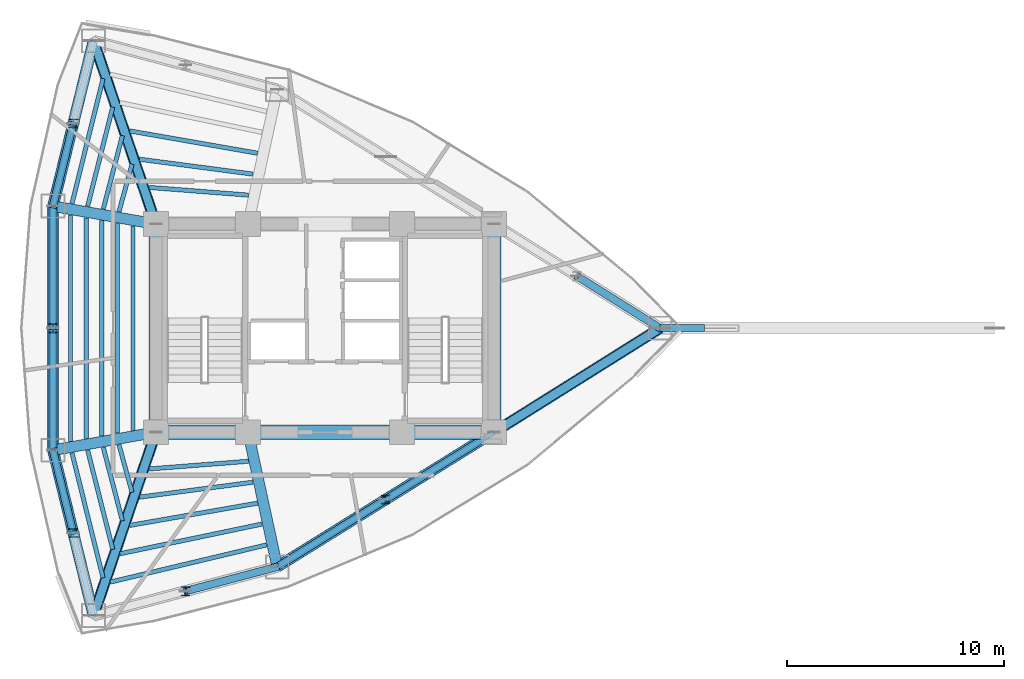
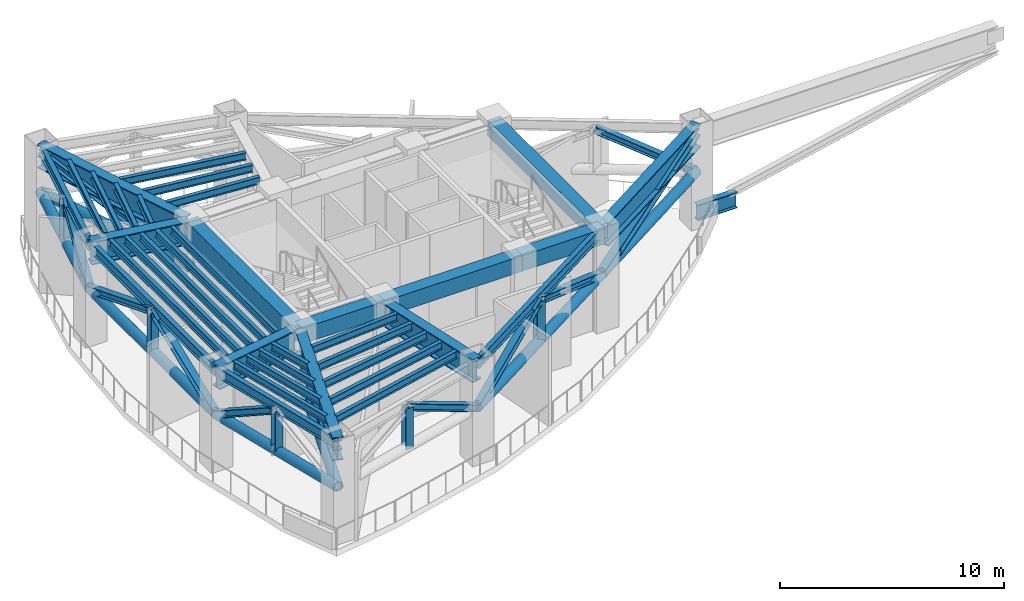
# One storey, part 2 of 8: 37 beams, 23 members.
"""IFC4 building model written with IfcOpenShell, lengths in metres."""

from ifc_helpers import new_model, si_unit, direction, frame, origin, origin_2d, place, context, subcontext, project, spatial, rectangle, hollow_circle, i_section, extrude, material, material_profile, profile_set, type_object, element, save


model = new_model("IFC4")

# Units and contexts
model_context = context("Model", 3, precision=1e-05, world=origin(), true_north=direction((0.0, 1.0)))
body_context = subcontext(model_context, "Body", "Model", "MODEL_VIEW")
ifc_project = project(units=[si_unit("LENGTHUNIT", "METRE"), si_unit("AREAUNIT", "SQUARE_METRE"), si_unit("VOLUMEUNIT", "CUBIC_METRE"), si_unit("PLANEANGLEUNIT", "RADIAN"), si_unit("MASSUNIT", "GRAM", prefix="KILO")], contexts=[model_context])

# Site, building, storey
site_placement = place(None, origin())
site = spatial("IfcSite", under=ifc_project, at=site_placement, CompositionType="ELEMENT")
building_placement = place(site_placement, origin())
building = spatial("IfcBuilding", under=site, at=building_placement, Name="Menara Vayukalpa", CompositionType="ELEMENT")
storey_placement = place(building_placement, frame((0.0, 0.0, 148.6201171875)))
storey = spatial("IfcBuildingStorey", under=building, at=storey_placement, Name="L37", CompositionType="ELEMENT", Elevation=148.6201171875)

# Beams
ifc_material_1 = material(Name="Concrete C60/75", Category="concrete")
ifc_material_profile_1 = material_profile(ifc_material_1, rectangle(XDim=0.64990234375, YDim=0.85009765625, at=origin_2d()), Name="RC 650x850")
ifc_profile_set_1 = profile_set([ifc_material_profile_1], Name="Concrete C60/75")
beam_type_1 = type_object("IfcBeamType", Name="BM-CB1", PredefinedType="BEAM", material=ifc_profile_set_1)
beam_1_placement = place(storey_placement, frame((17.800048828125, 17.199951171875, 4.994873046875), z_axis=(1.0, 0.0, 0.0), x_axis=(0.0, 1.0, 0.0)))
element("IfcBeam", 1, at=beam_1_placement, inside=storey, type_object=beam_type_1, Name="L37 Core Tie Beam CBR1", PredefinedType="BEAM", context=body_context, shape_type="SweptSolid", body=[
    extrude(rectangle(XDim=0.64990234375, YDim=0.85009765625, at=origin_2d()), origin(), (0.0, 0.0, 1.0), 4.25),
])
beam_2_placement = place(storey_placement, frame((22.050048828125, 17.199951171875, 4.994873046875), z_axis=(1.0, 0.0, 0.0), x_axis=(0.0, 1.0, 0.0)))
element("IfcBeam", 2, at=beam_2_placement, inside=storey, type_object=beam_type_1, Name="L37 Core Tie Beam CBR2", PredefinedType="BEAM", context=body_context, shape_type="SweptSolid", body=[
    extrude(rectangle(XDim=0.64990234375, YDim=0.85009765625, at=origin_2d()), origin(), (0.0, 0.0, 1.0), 7.099853515625),
])
beam_3_placement = place(storey_placement, frame((29.14990234375, 17.199951171875, 4.994873046875), z_axis=(1.0, 0.0, 0.0), x_axis=(0.0, 1.0, 0.0)))
element("IfcBeam", 3, at=beam_3_placement, inside=storey, type_object=beam_type_1, Name="L37 Core Tie Beam CBR3", PredefinedType="BEAM", context=body_context, shape_type="SweptSolid", body=[
    extrude(rectangle(XDim=0.64990234375, YDim=0.85009765625, at=origin_2d()), origin(), (0.0, 0.0, 1.0), 4.25),
])
for number, where, z_axis, x_axis, name in (
    (4, (17.800048828125, 17.199951171875, 4.994873046875), (0.0, 1.0, 0.0), (-1.0, 0.0, 0.0), "L37 Core Tie Beam CBR7"),
    (5, (33.39990234375, 17.199951171875, 4.994873046875), (0.0, 1.0, 0.0), (-1.0, 0.0, 0.0), "L37 Core Tie Beam CBR8"),
):
    element("IfcBeam", number, at=place(storey_placement, frame(where, z_axis=z_axis, x_axis=x_axis)), inside=storey, type_object=beam_type_1, Name=name, PredefinedType="BEAM", context=body_context, shape_type="SweptSolid", body=[
        extrude(rectangle(XDim=0.64990234375, YDim=0.85009765625, at=origin_2d()), origin(), (0.0, 0.0, 1.0), 9.60009765625),
    ])
ifc_material_2 = material(Name="Steel S355", Category="steel")
ifc_material_profile_2 = material_profile(ifc_material_2, i_section(OverallWidth=0.320068359375, OverallDepth=0.85009765625, WebThickness=0.01611328125, FlangeThickness=0.030029296875, at=origin_2d()), Name="WF 850x320x16x30")
ifc_profile_set_2 = profile_set([ifc_material_profile_2], Name="Steel S355")
beam_type_2 = type_object("IfcBeamType", Name="BM-PG2E", PredefinedType="BEAM", material=ifc_profile_set_2)
beam_4_placement = place(storey_placement, frame((41.05908203125, 22.0, 0.5498046875), z_axis=(1.0, 0.0, 0.0), x_axis=(0.0, 1.0, 0.0)))
element("IfcBeam", 6, at=beam_4_placement, inside=storey, type_object=beam_type_2, Name="L37 SB3 Exterior Outrigger Corbel Bracket 01", PredefinedType="BEAM", context=body_context, shape_type="SweptSolid", body=[
    extrude(i_section(OverallWidth=0.320068359375, OverallDepth=0.85009765625, WebThickness=0.01611328125, FlangeThickness=0.030029296875, at=origin_2d()), origin(), (0.0, 0.0, 1.0), 2.050048828125),
])
ifc_material_3 = material(Name="Steel S355", Category="steel")
ifc_material_profile_3 = material_profile(ifc_material_3, i_section(OverallWidth=0.199951171875, OverallDepth=0.39990234375, WebThickness=0.008056640625, FlangeThickness=0.012939453125, at=origin_2d()), Name="WF 400x200x8x13")
ifc_profile_set_3 = profile_set([ifc_material_profile_3], Name="Steel S355")
beam_type_3 = type_object("IfcBeamType", Name="BM-SJ2", PredefinedType="JOIST", material=ifc_profile_set_3)
beam_5_placement = place(storey_placement, frame((22.066650390625, 28.139404296875, 5.219970703125), z_axis=(-0.996983438743, 0.077614578995, 0.0), x_axis=(-0.077614578995, -0.996983438743, 0.0)))
element("IfcBeam", 7, at=beam_5_placement, inside=storey, type_object=beam_type_3, Name="L37 Secondary Floor Joist SJ03-1", PredefinedType="JOIST", context=body_context, shape_type="SweptSolid", body=[
    extrude(i_section(OverallWidth=0.199951171875, OverallDepth=0.39990234375, WebThickness=0.008056640625, FlangeThickness=0.012939453125, at=origin_2d()), origin(), (0.0, 0.0, 1.0), 4.595703125),
])
beam_6_placement = place(storey_placement, frame((22.275146484375, 29.1083984375, 5.219970703125), z_axis=(-0.991459955121, 0.130411492559, 0.0), x_axis=(-0.130411492559, -0.991459955121, 0.0)))
element("IfcBeam", 8, at=beam_6_placement, inside=storey, type_object=beam_type_3, Name="L37 Secondary Floor Joist SJ03-2", PredefinedType="JOIST", context=body_context, shape_type="SweptSolid", body=[
    extrude(i_section(OverallWidth=0.199951171875, OverallDepth=0.39990234375, WebThickness=0.008056640625, FlangeThickness=0.012939453125, at=origin_2d()), origin(), (0.0, 0.0, 1.0), 5.284912109375),
])
beam_7_placement = place(storey_placement, frame((22.48388671875, 30.074462890625, 5.219970703125), z_axis=(-0.985152434597, 0.171681916949, 0.0), x_axis=(-0.171681916949, -0.985152434597, 0.0)))
element("IfcBeam", 9, at=beam_7_placement, inside=storey, type_object=beam_type_3, Name="L37 Secondary Floor Joist SJ03-3", PredefinedType="JOIST", context=body_context, shape_type="SweptSolid", body=[
    extrude(i_section(OverallWidth=0.199951171875, OverallDepth=0.39990234375, WebThickness=0.008056640625, FlangeThickness=0.012939453125, at=origin_2d()), origin(), (0.0, 0.0, 1.0), 5.98681640625),
])
beam_8_placement = place(storey_placement, frame((16.696533203125, 29.572509765625, 5.219970703125), z_axis=(-0.264248779068, -0.964454551942, 0.0), x_axis=(0.964454551942, -0.264248779068, 0.0)))
element("IfcBeam", 10, at=beam_8_placement, inside=storey, type_object=beam_type_3, Name="L37 Secondary Floor Joist SJ04-2", PredefinedType="JOIST", context=body_context, shape_type="SweptSolid", body=[
    extrude(i_section(OverallWidth=0.199951171875, OverallDepth=0.39990234375, WebThickness=0.008056640625, FlangeThickness=0.012939453125, at=origin_2d()), origin(), (0.0, 0.0, 1.0), 2.281982421875),
])
beam_9_placement = place(storey_placement, frame((16.251953125, 30.88720703125, 5.219970703125), z_axis=(-0.25205573048, -0.967712720146, 0.0), x_axis=(0.967712720146, -0.25205573048, 0.0)))
element("IfcBeam", 11, at=beam_9_placement, inside=storey, type_object=beam_type_3, Name="L37 Secondary Floor Joist SJ04-3", PredefinedType="JOIST", context=body_context, shape_type="SweptSolid", body=[
    extrude(i_section(OverallWidth=0.199951171875, OverallDepth=0.39990234375, WebThickness=0.008056640625, FlangeThickness=0.012939453125, at=origin_2d()), origin(), (0.0, 0.0, 1.0), 3.50146484375),
])
beam_10_placement = place(storey_placement, frame((15.805908203125, 32.20263671875, 5.219970703125), z_axis=(-0.245454467101, -0.969408120752, 0.0), x_axis=(0.969408120752, -0.245454467101, 0.0)))
element("IfcBeam", 12, at=beam_10_placement, inside=storey, type_object=beam_type_3, Name="L37 Secondary Floor Joist SJ04-4", PredefinedType="JOIST", context=body_context, shape_type="SweptSolid", body=[
    extrude(i_section(OverallWidth=0.199951171875, OverallDepth=0.39990234375, WebThickness=0.008056640625, FlangeThickness=0.012939453125, at=origin_2d()), origin(), (0.0, 0.0, 1.0), 4.7216796875),
])
beam_11_placement = place(storey_placement, frame((15.359130859375, 33.518310546875, 5.219970703125), z_axis=(-0.241346330363, -0.970439049513, 0.0), x_axis=(0.970439049513, -0.241346330363, 0.0)))
element("IfcBeam", 13, at=beam_11_placement, inside=storey, type_object=beam_type_3, Name="L37 Secondary Floor Joist SJ04-5", PredefinedType="JOIST", context=body_context, shape_type="SweptSolid", body=[
    extrude(i_section(OverallWidth=0.199951171875, OverallDepth=0.39990234375, WebThickness=0.008056640625, FlangeThickness=0.012939453125, at=origin_2d()), origin(), (0.0, 0.0, 1.0), 5.94189453125),
])
beam_12_placement = place(storey_placement, frame((16.742919921875, 26.715087890625, 5.219970703125), z_axis=(0.0, -1.0, 0.0), x_axis=(1.0, 0.0, 0.0)))
element("IfcBeam", 14, at=beam_12_placement, inside=storey, type_object=beam_type_3, Name="L37 Secondary Floor Joist SJ05-1", PredefinedType="JOIST", context=body_context, shape_type="SweptSolid", body=[
    extrude(i_section(OverallWidth=0.199951171875, OverallDepth=0.39990234375, WebThickness=0.008056640625, FlangeThickness=0.012939453125, at=origin_2d()), origin(), (0.0, 0.0, 1.0), 9.43017578125),
])
beam_13_placement = place(storey_placement, frame((16.022216796875, 26.84130859375, 5.219970703125), z_axis=(0.0, -1.0, 0.0), x_axis=(1.0, 0.0, 0.0)))
element("IfcBeam", 15, at=beam_13_placement, inside=storey, type_object=beam_type_3, Name="L37 Secondary Floor Joist SJ05-2", PredefinedType="JOIST", context=body_context, shape_type="SweptSolid", body=[
    extrude(i_section(OverallWidth=0.199951171875, OverallDepth=0.39990234375, WebThickness=0.008056640625, FlangeThickness=0.012939453125, at=origin_2d()), origin(), (0.0, 0.0, 1.0), 9.6826171875),
])
beam_14_placement = place(storey_placement, frame((15.301513671875, 26.96728515625, 5.219970703125), z_axis=(0.0, -1.0, 0.0), x_axis=(1.0, 0.0, 0.0)))
element("IfcBeam", 16, at=beam_14_placement, inside=storey, type_object=beam_type_3, Name="L37 Secondary Floor Joist SJ05-3", PredefinedType="JOIST", context=body_context, shape_type="SweptSolid", body=[
    extrude(i_section(OverallWidth=0.199951171875, OverallDepth=0.39990234375, WebThickness=0.008056640625, FlangeThickness=0.012939453125, at=origin_2d()), origin(), (0.0, 0.0, 1.0), 9.9345703125),
])
beam_15_placement = place(storey_placement, frame((14.580810546875, 27.093505859375, 5.219970703125), z_axis=(0.0, -1.0, 0.0), x_axis=(1.0, 0.0, 0.0)))
element("IfcBeam", 17, at=beam_15_placement, inside=storey, type_object=beam_type_3, Name="L37 Secondary Floor Joist SJ05-4", PredefinedType="JOIST", context=body_context, shape_type="SweptSolid", body=[
    extrude(i_section(OverallWidth=0.199951171875, OverallDepth=0.39990234375, WebThickness=0.008056640625, FlangeThickness=0.012939453125, at=origin_2d()), origin(), (0.0, 0.0, 1.0), 10.18701171875),
])
beam_16_placement = place(storey_placement, frame((13.85986328125, 27.2197265625, 5.219970703125), z_axis=(0.0, -1.0, 0.0), x_axis=(1.0, 0.0, 0.0)))
element("IfcBeam", 18, at=beam_16_placement, inside=storey, type_object=beam_type_3, Name="L37 Secondary Floor Joist SJ05-5", PredefinedType="JOIST", context=body_context, shape_type="SweptSolid", body=[
    extrude(i_section(OverallWidth=0.199951171875, OverallDepth=0.39990234375, WebThickness=0.008056640625, FlangeThickness=0.012939453125, at=origin_2d()), origin(), (0.0, 0.0, 1.0), 10.439453125),
])
beam_17_placement = place(storey_placement, frame((16.093505859375, 16.62841796875, 5.219970703125), z_axis=(0.264248779068, -0.964454551942, 0.0), x_axis=(0.964454551942, 0.264248779068, 0.0)))
element("IfcBeam", 19, at=beam_17_placement, inside=storey, type_object=beam_type_3, Name="L37 Secondary Floor Joist SJ06-2", PredefinedType="JOIST", context=body_context, shape_type="SweptSolid", body=[
    extrude(i_section(OverallWidth=0.199951171875, OverallDepth=0.39990234375, WebThickness=0.008056640625, FlangeThickness=0.012939453125, at=origin_2d()), origin(), (0.0, 0.0, 1.0), 2.281982421875),
])
beam_18_placement = place(storey_placement, frame((15.369384765625, 16.501220703125, 5.219970703125), z_axis=(0.25205573048, -0.967712720146, 0.0), x_axis=(0.967712720146, 0.25205573048, 0.0)))
element("IfcBeam", 20, at=beam_18_placement, inside=storey, type_object=beam_type_3, Name="L37 Secondary Floor Joist SJ06-3", PredefinedType="JOIST", context=body_context, shape_type="SweptSolid", body=[
    extrude(i_section(OverallWidth=0.199951171875, OverallDepth=0.39990234375, WebThickness=0.008056640625, FlangeThickness=0.012939453125, at=origin_2d()), origin(), (0.0, 0.0, 1.0), 3.50146484375),
])
beam_19_placement = place(storey_placement, frame((14.64697265625, 16.37451171875, 5.219970703125), z_axis=(0.245454467101, -0.969408120752, 0.0), x_axis=(0.969408120752, 0.245454467101, 0.0)))
element("IfcBeam", 21, at=beam_19_placement, inside=storey, type_object=beam_type_3, Name="L37 Secondary Floor Joist SJ06-4", PredefinedType="JOIST", context=body_context, shape_type="SweptSolid", body=[
    extrude(i_section(OverallWidth=0.199951171875, OverallDepth=0.39990234375, WebThickness=0.008056640625, FlangeThickness=0.012939453125, at=origin_2d()), origin(), (0.0, 0.0, 1.0), 4.7216796875),
])
beam_20_placement = place(storey_placement, frame((13.925048828125, 16.248046875, 5.219970703125), z_axis=(0.241346330363, -0.970439049513, 0.0), x_axis=(0.970439049513, 0.241346330363, 0.0)))
element("IfcBeam", 22, at=beam_20_placement, inside=storey, type_object=beam_type_3, Name="L37 Secondary Floor Joist SJ06-5", PredefinedType="JOIST", context=body_context, shape_type="SweptSolid", body=[
    extrude(i_section(OverallWidth=0.199951171875, OverallDepth=0.39990234375, WebThickness=0.008056640625, FlangeThickness=0.012939453125, at=origin_2d()), origin(), (0.0, 0.0, 1.0), 5.94189453125),
])
beam_21_placement = place(storey_placement, frame((17.48486328125, 15.50390625, 5.219970703125), z_axis=(0.996983438743, 0.077614578995, 0.0), x_axis=(-0.077614578995, 0.996983438743, 0.0)))
element("IfcBeam", 23, at=beam_21_placement, inside=storey, type_object=beam_type_3, Name="L37 Secondary Floor Joist SJ07-1", PredefinedType="JOIST", context=body_context, shape_type="SweptSolid", body=[
    extrude(i_section(OverallWidth=0.199951171875, OverallDepth=0.39990234375, WebThickness=0.008056640625, FlangeThickness=0.012939453125, at=origin_2d()), origin(), (0.0, 0.0, 1.0), 4.595703125),
])
beam_22_placement = place(storey_placement, frame((17.035400390625, 14.202392578125, 5.219970703125), z_axis=(0.991459955121, 0.130411492559, 0.0), x_axis=(-0.130411492559, 0.991459955121, 0.0)))
element("IfcBeam", 24, at=beam_22_placement, inside=storey, type_object=beam_type_3, Name="L37 Secondary Floor Joist SJ07-2", PredefinedType="JOIST", context=body_context, shape_type="SweptSolid", body=[
    extrude(i_section(OverallWidth=0.199951171875, OverallDepth=0.39990234375, WebThickness=0.008056640625, FlangeThickness=0.012939453125, at=origin_2d()), origin(), (0.0, 0.0, 1.0), 5.284912109375),
])
beam_23_placement = place(storey_placement, frame((16.5859375, 12.897705078125, 5.219970703125), z_axis=(0.985152434597, 0.171681916949, 0.0), x_axis=(-0.171681916949, 0.985152434597, 0.0)))
element("IfcBeam", 25, at=beam_23_placement, inside=storey, type_object=beam_type_3, Name="L37 Secondary Floor Joist SJ07-3", PredefinedType="JOIST", context=body_context, shape_type="SweptSolid", body=[
    extrude(i_section(OverallWidth=0.199951171875, OverallDepth=0.39990234375, WebThickness=0.008056640625, FlangeThickness=0.012939453125, at=origin_2d()), origin(), (0.0, 0.0, 1.0), 5.98681640625),
])
beam_24_placement = place(storey_placement, frame((16.136474609375, 11.5908203125, 5.219970703125), z_axis=(0.978824266777, 0.204702356529, 0.0), x_axis=(-0.204702356529, 0.978824266777, 0.0)))
element("IfcBeam", 26, at=beam_24_placement, inside=storey, type_object=beam_type_3, Name="L37 Secondary Floor Joist SJ07-4", PredefinedType="JOIST", context=body_context, shape_type="SweptSolid", body=[
    extrude(i_section(OverallWidth=0.199951171875, OverallDepth=0.39990234375, WebThickness=0.008056640625, FlangeThickness=0.012939453125, at=origin_2d()), origin(), (0.0, 0.0, 1.0), 6.697998046875),
])
beam_25_placement = place(storey_placement, frame((15.68701171875, 10.2822265625, 5.219970703125), z_axis=(0.972811512853, 0.231598273872, 0.0), x_axis=(-0.231598273872, 0.972811512853, 0.0)))
element("IfcBeam", 27, at=beam_25_placement, inside=storey, type_object=beam_type_3, Name="L37 Secondary Floor Joist SJ07-5", PredefinedType="JOIST", context=body_context, shape_type="SweptSolid", body=[
    extrude(i_section(OverallWidth=0.199951171875, OverallDepth=0.39990234375, WebThickness=0.008056640625, FlangeThickness=0.012939453125, at=origin_2d()), origin(), (0.0, 0.0, 1.0), 7.416015625),
])
ifc_material_4 = material(Name="Steel S355", Category="steel")
ifc_material_profile_4 = material_profile(ifc_material_4, i_section(OverallWidth=0.239990234375, OverallDepth=0.550048828125, WebThickness=0.010986328125, FlangeThickness=0.01904296875, at=origin_2d()), Name="WF 550x240x11x19")
ifc_profile_set_4 = profile_set([ifc_material_profile_4], Name="Steel S355")
beam_type_4 = type_object("IfcBeamType", Name="BM-SP2", PredefinedType="SPANDREL", material=ifc_profile_set_4)
beam_26_placement = place(storey_placement, frame((14.92041015625, 35.260498046875, 5.144775390625), z_axis=(-0.238240335346, -0.971206230733, 0.0), x_axis=(0.971206230733, -0.238240335346, 0.0)))
element("IfcBeam", 28, at=beam_26_placement, inside=storey, type_object=beam_type_4, Name="L37 Perimeter Spandrel Beam SP04", PredefinedType="SPANDREL", context=body_context, shape_type="SweptSolid", body=[
    extrude(i_section(OverallWidth=0.239990234375, OverallDepth=0.550048828125, WebThickness=0.010986328125, FlangeThickness=0.01904296875, at=origin_2d()), origin(), (0.0, 0.0, 1.0), 7.854736328125),
])
beam_27_placement = place(storey_placement, frame((13.049072265625, 27.6318359375, 5.144775390625), z_axis=(0.0, -1.0, 0.0), x_axis=(1.0, 0.0, 0.0)))
element("IfcBeam", 29, at=beam_27_placement, inside=storey, type_object=beam_type_4, Name="L37 Perimeter Spandrel Beam SP05", PredefinedType="SPANDREL", context=body_context, shape_type="SweptSolid", body=[
    extrude(i_section(OverallWidth=0.239990234375, OverallDepth=0.550048828125, WebThickness=0.010986328125, FlangeThickness=0.01904296875, at=origin_2d()), origin(), (0.0, 0.0, 1.0), 11.263671875),
])
beam_28_placement = place(storey_placement, frame((13.049072265625, 16.3681640625, 5.144775390625), z_axis=(0.238240335346, -0.971206230733, 0.0), x_axis=(0.971206230733, 0.238240335346, 0.0)))
element("IfcBeam", 30, at=beam_28_placement, inside=storey, type_object=beam_type_4, Name="L37 Perimeter Spandrel Beam SP06", PredefinedType="SPANDREL", context=body_context, shape_type="SweptSolid", body=[
    extrude(i_section(OverallWidth=0.239990234375, OverallDepth=0.550048828125, WebThickness=0.010986328125, FlangeThickness=0.01904296875, at=origin_2d()), origin(), (0.0, 0.0, 1.0), 7.854736328125),
])
beam_29_placement = place(storey_placement, frame((23.39697265625, 10.988037109375, 5.144775390625), z_axis=(0.849518408464, 0.527558976495, 0.0), x_axis=(-0.527558976495, 0.849518408464, 0.0)))
element("IfcBeam", 31, at=beam_29_placement, inside=storey, type_object=beam_type_4, Name="L37 Perimeter Spandrel Beam SP08", PredefinedType="SPANDREL", context=body_context, shape_type="SweptSolid", body=[
    extrude(i_section(OverallWidth=0.239990234375, OverallDepth=0.550048828125, WebThickness=0.010986328125, FlangeThickness=0.01904296875, at=origin_2d()), origin(), (0.0, 0.0, 1.0), 11.77490234375),
])
ifc_material_5 = material(Name="Steel S460", Category="steel")
ifc_material_profile_5 = material_profile(ifc_material_5, i_section(OverallWidth=0.5, OverallDepth=1.25, WebThickness=0.028076171875, FlangeThickness=0.054931640625, at=origin_2d()), Name="WG 1250x500x28x55")
ifc_profile_set_5 = profile_set([ifc_material_profile_5], Name="Steel S460")
beam_type_5 = type_object("IfcBeamType", Name="BM-TG2", PredefinedType="BEAM", material=ifc_profile_set_5)
beam_30_placement = place(storey_placement, frame((33.61181640625, 17.332763671875, 4.794921875), z_axis=(0.847348467727, 0.531037262573, 0.0), x_axis=(-0.531037262573, 0.847348467727, 0.0)))
element("IfcBeam", 32, at=beam_30_placement, inside=storey, type_object=beam_type_5, Name="L37 Primary Radial Girder RG01", PredefinedType="BEAM", context=body_context, shape_type="SweptSolid", body=[
    extrude(i_section(OverallWidth=0.5, OverallDepth=1.25, WebThickness=0.028076171875, FlangeThickness=0.054931640625, at=origin_2d()), origin(), (0.0, 0.0, 1.0), 8.788818359375),
])
beam_31_placement = place(storey_placement, frame((17.719482421875, 27.03662109375, 4.794921875), z_axis=(-0.322207533072, 0.946669058136, 0.0), x_axis=(-0.946669058136, -0.322207533072, 0.0)))
element("IfcBeam", 33, at=beam_31_placement, inside=storey, type_object=beam_type_5, Name="L37 Primary Radial Girder RG04", PredefinedType="BEAM", context=body_context, shape_type="SweptSolid", body=[
    extrude(i_section(OverallWidth=0.5, OverallDepth=1.25, WebThickness=0.028076171875, FlangeThickness=0.054931640625, at=origin_2d()), origin(), (0.0, 0.0, 1.0), 8.687255859375),
])
for number, where, z_axis, x_axis, name in (
    (34, (17.5537109375, 26.843017578125, 4.794921875), (-0.985011651805, 0.172487813505, 0.0), (-0.172487813505, -0.985011651805, 0.0), "L37 Primary Radial Girder RG05"),
    (35, (17.5537109375, 17.156982421875, 4.794921875), (-0.985011651805, -0.172487813505, 0.0), (0.172487813505, -0.985011651805, 0.0), "L37 Primary Radial Girder RG06"),
):
    element("IfcBeam", number, at=place(storey_placement, frame(where, z_axis=z_axis, x_axis=x_axis)), inside=storey, type_object=beam_type_5, Name=name, PredefinedType="BEAM", context=body_context, shape_type="SweptSolid", body=[
        extrude(i_section(OverallWidth=0.5, OverallDepth=1.25, WebThickness=0.028076171875, FlangeThickness=0.054931640625, at=origin_2d()), origin(), (0.0, 0.0, 1.0), 4.5732421875),
    ])
beam_32_placement = place(storey_placement, frame((17.719482421875, 16.96337890625, 4.794921875), z_axis=(-0.322207533072, -0.946669058136, 0.0), x_axis=(0.946669058136, -0.322207533072, 0.0)))
element("IfcBeam", 36, at=beam_32_placement, inside=storey, type_object=beam_type_5, Name="L37 Primary Radial Girder RG07", PredefinedType="BEAM", context=body_context, shape_type="SweptSolid", body=[
    extrude(i_section(OverallWidth=0.5, OverallDepth=1.25, WebThickness=0.028076171875, FlangeThickness=0.054931640625, at=origin_2d()), origin(), (0.0, 0.0, 1.0), 8.687255859375),
])
beam_33_placement = place(storey_placement, frame((22.10302734375, 16.955810546875, 4.794921875), z_axis=(0.211898459532, -0.9772916877, 0.0), x_axis=(0.9772916877, 0.211898459532, 0.0)))
element("IfcBeam", 37, at=beam_33_placement, inside=storey, type_object=beam_type_5, Name="L37 Primary Radial Girder RG08", PredefinedType="BEAM", context=body_context, shape_type="SweptSolid", body=[
    extrude(i_section(OverallWidth=0.5, OverallDepth=1.25, WebThickness=0.028076171875, FlangeThickness=0.054931640625, at=origin_2d()), origin(), (0.0, 0.0, 1.0), 6.1064453125),
])

# Members
ifc_material_6 = material(Name="Steel S355", Category="steel")
ifc_material_profile_6 = material_profile(ifc_material_6, i_section(OverallWidth=0.35009765625, OverallDepth=0.35009765625, WebThickness=0.011962890625, FlangeThickness=0.01904296875, at=origin_2d()), Name="H 350x350x12x19")
ifc_profile_set_6 = profile_set([ifc_material_profile_6], Name="Steel S355")
member_type_1 = type_object("IfcMemberType", Name="MEM-BT1", PredefinedType="BRACE", material=ifc_profile_set_6)
member_1_placement = place(storey_placement, frame((41.05908203125, 22.0, 2.75), z_axis=(-0.760558793552, 0.47662201585, 0.440887486279), x_axis=(-0.531018263386, -0.84736037431, 0.0)))
element("IfcMember", 38, at=member_1_placement, inside=storey, type_object=member_type_1, Name="L37 Belt Truss Diagonal A01", PredefinedType="BRACE", context=body_context, shape_type="SweptSolid", body=[
    extrude(i_section(OverallWidth=0.35009765625, OverallDepth=0.35009765625, WebThickness=0.011962890625, FlangeThickness=0.01904296875, at=origin_2d()), origin(), (0.0, 0.0, 1.0), 5.03515625),
])
member_2_placement = place(storey_placement, frame((13.049072265625, 27.6318359375, 2.75), z_axis=(0.207430953958, 0.845471900259, 0.492087050442), x_axis=(-0.971197274028, 0.238276845122, 0.0)))
element("IfcMember", 39, at=member_2_placement, inside=storey, type_object=member_type_1, Name="L37 Belt Truss Diagonal B04", PredefinedType="BRACE", context=body_context, shape_type="SweptSolid", body=[
    extrude(i_section(OverallWidth=0.35009765625, OverallDepth=0.35009765625, WebThickness=0.011962890625, FlangeThickness=0.01904296875, at=origin_2d()), origin(), (0.0, 0.0, 1.0), 4.51123046875),
])
for number, where, z_axis, x_axis, name in (
    (40, (13.049072265625, 27.6318359375, 2.75), (0.0, -0.930331270858, 0.366720229145), (1.0, 0.0, 0.0), "L37 Belt Truss Diagonal A05"),
    (41, (13.049072265625, 16.3681640625, 2.75), (0.0, 0.930331270858, 0.366720229145), (-1.0, 0.0, 0.0), "L37 Belt Truss Diagonal B05"),
):
    element("IfcMember", number, at=place(storey_placement, frame(where, z_axis=z_axis, x_axis=x_axis)), inside=storey, type_object=member_type_1, Name=name, PredefinedType="BRACE", context=body_context, shape_type="SweptSolid", body=[
        extrude(i_section(OverallWidth=0.35009765625, OverallDepth=0.35009765625, WebThickness=0.011962890625, FlangeThickness=0.01904296875, at=origin_2d()), origin(), (0.0, 0.0, 1.0), 6.053466796875),
    ])
member_3_placement = place(storey_placement, frame((13.049072265625, 16.3681640625, 2.75), z_axis=(0.207430953958, -0.845471900259, 0.492087050442), x_axis=(0.971197274028, 0.238276845122, 0.0)))
element("IfcMember", 42, at=member_3_placement, inside=storey, type_object=member_type_1, Name="L37 Belt Truss Diagonal A06", PredefinedType="BRACE", context=body_context, shape_type="SweptSolid", body=[
    extrude(i_section(OverallWidth=0.35009765625, OverallDepth=0.35009765625, WebThickness=0.011962890625, FlangeThickness=0.01904296875, at=origin_2d()), origin(), (0.0, 0.0, 1.0), 4.51123046875),
])
member_4_placement = place(storey_placement, frame((23.39697265625, 10.988037109375, 2.75), z_axis=(-0.862350412859, -0.228751362397, 0.451690800929), x_axis=(0.256397544009, -0.96657141455, 0.0)))
element("IfcMember", 43, at=member_4_placement, inside=storey, type_object=member_type_1, Name="L37 Belt Truss Diagonal B07", PredefinedType="BRACE", context=body_context, shape_type="SweptSolid", body=[
    extrude(i_section(OverallWidth=0.35009765625, OverallDepth=0.35009765625, WebThickness=0.011962890625, FlangeThickness=0.01904296875, at=origin_2d()), origin(), (0.0, 0.0, 1.0), 4.914794921875),
])
for number, where, z_axis, x_axis, name in (
    (44, (23.39697265625, 10.988037109375, 2.75), (0.794886415745, 0.493631991658, 0.352821545366), (-0.527558976495, 0.849518408464, 0.0), "L37 Belt Truss Diagonal A08"),
    (45, (33.39990234375, 17.199951171875, 2.75), (-0.794886415745, -0.493631991658, 0.352821545366), (0.527558976495, -0.849518408464, 0.0), "L37 Belt Truss Diagonal B08"),
):
    element("IfcMember", number, at=place(storey_placement, frame(where, z_axis=z_axis, x_axis=x_axis)), inside=storey, type_object=member_type_1, Name=name, PredefinedType="BRACE", context=body_context, shape_type="SweptSolid", body=[
        extrude(i_section(OverallWidth=0.35009765625, OverallDepth=0.35009765625, WebThickness=0.011962890625, FlangeThickness=0.01904296875, at=origin_2d()), origin(), (0.0, 0.0, 1.0), 6.2919921875),
    ])
ifc_material_7 = material(Name="Steel S460", Category="steel")
ifc_material_profile_7 = material_profile(ifc_material_7, hollow_circle(Radius=0.25390625, WallThickness=0.02490234375, at=origin_2d()), Name="CHS 508.0x25")
ifc_profile_set_7 = profile_set([ifc_material_profile_7], Name="Steel S460")
member_type_2 = type_object("IfcMemberType", Name="MEM-CH1", PredefinedType="CHORD", material=ifc_profile_set_7)
member_5_placement = place(storey_placement, frame((33.39990234375, 17.199951171875, 2.75), z_axis=(0.847348220701, 0.531037656739, 0.0), x_axis=(-0.531037656739, 0.847348220701, 0.0)))
element("IfcMember", 46, at=member_5_placement, inside=storey, type_object=member_type_2, Name="L37 Outrigger Bottom Chord 01", PredefinedType="CHORD", context=body_context, shape_type="SweptSolid", body=[
    extrude(hollow_circle(Radius=0.25390625, WallThickness=0.02490234375, at=origin_2d()), origin(), (0.0, 0.0, 1.0), 9.0390625),
])
for number, where, z_axis, x_axis, name in (
    (47, (17.800048828125, 26.800048828125, 2.75), (-0.322212231711, 0.946667458898, 0.0), (-0.946667458898, -0.322212231711, 0.0), "L37 Outrigger Bottom Chord 04"),
    (48, (17.800048828125, 17.199951171875, 2.75), (-0.322212231711, -0.946667458898, 0.0), (0.946667458898, -0.322212231711, 0.0), "L37 Outrigger Bottom Chord 07"),
):
    element("IfcMember", number, at=place(storey_placement, frame(where, z_axis=z_axis, x_axis=x_axis)), inside=storey, type_object=member_type_2, Name=name, PredefinedType="CHORD", context=body_context, shape_type="SweptSolid", body=[
        extrude(hollow_circle(Radius=0.25390625, WallThickness=0.02490234375, at=origin_2d()), origin(), (0.0, 0.0, 1.0), 8.93701171875),
    ])
member_6_placement = place(storey_placement, frame((14.92041015625, 35.260498046875, 2.75), z_axis=(-0.238240335346, -0.971206230733, 0.0), x_axis=(0.971206230733, -0.238240335346, 0.0)))
element("IfcMember", 49, at=member_6_placement, inside=storey, type_object=member_type_2, Name="L37 Belt Truss Bottom Chord 04", PredefinedType="CHORD", context=body_context, shape_type="SweptSolid", body=[
    extrude(hollow_circle(Radius=0.25390625, WallThickness=0.02490234375, at=origin_2d()), origin(), (0.0, 0.0, 1.0), 7.854736328125),
])
member_7_placement = place(storey_placement, frame((13.049072265625, 27.6318359375, 2.75), z_axis=(0.0, -1.0, 0.0), x_axis=(1.0, 0.0, 0.0)))
element("IfcMember", 50, at=member_7_placement, inside=storey, type_object=member_type_2, Name="L37 Belt Truss Bottom Chord 05", PredefinedType="CHORD", context=body_context, shape_type="SweptSolid", body=[
    extrude(hollow_circle(Radius=0.25390625, WallThickness=0.02490234375, at=origin_2d()), origin(), (0.0, 0.0, 1.0), 11.263671875),
])
member_8_placement = place(storey_placement, frame((13.049072265625, 16.3681640625, 2.75), z_axis=(0.238240335346, -0.971206230733, 0.0), x_axis=(0.971206230733, 0.238240335346, 0.0)))
element("IfcMember", 51, at=member_8_placement, inside=storey, type_object=member_type_2, Name="L37 Belt Truss Bottom Chord 06", PredefinedType="CHORD", context=body_context, shape_type="SweptSolid", body=[
    extrude(hollow_circle(Radius=0.25390625, WallThickness=0.02490234375, at=origin_2d()), origin(), (0.0, 0.0, 1.0), 7.854736328125),
])
member_9_placement = place(storey_placement, frame((23.39697265625, 10.988037109375, 2.75), z_axis=(0.849518408464, 0.527558976495, 0.0), x_axis=(-0.527558976495, 0.849518408464, 0.0)))
element("IfcMember", 52, at=member_9_placement, inside=storey, type_object=member_type_2, Name="L37 Belt Truss Bottom Chord 08", PredefinedType="CHORD", context=body_context, shape_type="SweptSolid", body=[
    extrude(hollow_circle(Radius=0.25390625, WallThickness=0.02490234375, at=origin_2d()), origin(), (0.0, 0.0, 1.0), 11.77490234375),
])
ifc_material_8 = material(Name="Steel S460", Category="steel")
ifc_material_profile_8 = material_profile(ifc_material_8, i_section(OverallWidth=0.406982421875, OverallDepth=0.427978515625, WebThickness=0.02001953125, FlangeThickness=0.034912109375, at=origin_2d()), Name="H 428x407x20x35")
ifc_profile_set_8 = profile_set([ifc_material_profile_8], Name="Steel S460")
member_type_3 = type_object("IfcMemberType", Name="MEM-OT2", PredefinedType="BRACE", material=ifc_profile_set_8)
member_10_placement = place(storey_placement, frame((33.39990234375, 17.199951171875, 2.75), z_axis=(0.822893551622, 0.515711784981, 0.238511126638), x_axis=(-0.531037656739, 0.847348220701, 0.0)))
element("IfcMember", 53, at=member_10_placement, inside=storey, type_object=member_type_3, Name="L37 Outrigger Truss Diagonal 01", PredefinedType="BRACE", context=body_context, shape_type="SweptSolid", body=[
    extrude(i_section(OverallWidth=0.406982421875, OverallDepth=0.427978515625, WebThickness=0.02001953125, FlangeThickness=0.034912109375, at=origin_2d()), origin(), (0.0, 0.0, 1.0), 9.3076171875),
])
for number, where, z_axis, x_axis, name in (
    (54, (17.800048828125, 26.800048828125, 2.75), (-0.312709164655, 0.918747214241, 0.241073712099), (-0.946667458898, -0.322212231711, 0.0), "L37 Outrigger Truss Diagonal 04"),
    (55, (17.800048828125, 17.199951171875, 2.75), (-0.312709164655, -0.918747214241, 0.241073712099), (0.946667458898, -0.322212231711, 0.0), "L37 Outrigger Truss Diagonal 07"),
):
    element("IfcMember", number, at=place(storey_placement, frame(where, z_axis=z_axis, x_axis=x_axis)), inside=storey, type_object=member_type_3, Name=name, PredefinedType="BRACE", context=body_context, shape_type="SweptSolid", body=[
        extrude(i_section(OverallWidth=0.406982421875, OverallDepth=0.427978515625, WebThickness=0.02001953125, FlangeThickness=0.034912109375, at=origin_2d()), origin(), (0.0, 0.0, 1.0), 9.208740234375),
    ])
ifc_material_9 = material(Name="Steel S355", Category="steel")
ifc_material_profile_9 = material_profile(ifc_material_9, i_section(OverallWidth=0.39990234375, OverallDepth=0.39990234375, WebThickness=0.012939453125, FlangeThickness=0.02099609375, at=origin_2d()), Name="H 400x400x13x21")
ifc_profile_set_9 = profile_set([ifc_material_profile_9], Name="Steel S355")
member_type_4 = type_object("IfcMemberType", Name="MEM-ST1", PredefinedType="STRUT", material=ifc_profile_set_9)
for number, where, z_axis, x_axis, name in (
    (56, (13.98486328125, 31.446044921875, 2.75), (0.0, 0.0, 1.0), (1.0, 0.0, 0.0), "L37 Belt Truss Vertical Strut 04"),
    (57, (13.049072265625, 22.0, 2.75), (0.0, 0.0, 1.0), (1.0, 0.0, 0.0), "L37 Belt Truss Vertical Strut 05"),
    (58, (13.98486328125, 12.553955078125, 2.75), (0.0, 0.0, 1.0), (1.0, 0.0, 0.0), "L37 Belt Truss Vertical Strut 06"),
    (59, (19.15869140625, 9.86376953125, 2.75), (0.0, 0.0, 1.0), (1.0, 0.0, 0.0), "L37 Belt Truss Vertical Strut 07"),
    (60, (28.3984375, 14.093994140625, 2.75), (0.0, 0.0, 1.0), (1.0, 0.0, 0.0), "L37 Belt Truss Vertical Strut 08"),
):
    element("IfcMember", number, at=place(storey_placement, frame(where, z_axis=z_axis, x_axis=x_axis)), inside=storey, type_object=member_type_4, Name=name, PredefinedType="STRUT", context=body_context, shape_type="SweptSolid", body=[
        extrude(i_section(OverallWidth=0.39990234375, OverallDepth=0.39990234375, WebThickness=0.012939453125, FlangeThickness=0.02099609375, at=origin_2d()), origin(), (0.0, 0.0, 1.0), 2.219970703125),
    ])

save(model, "model.ifc")
